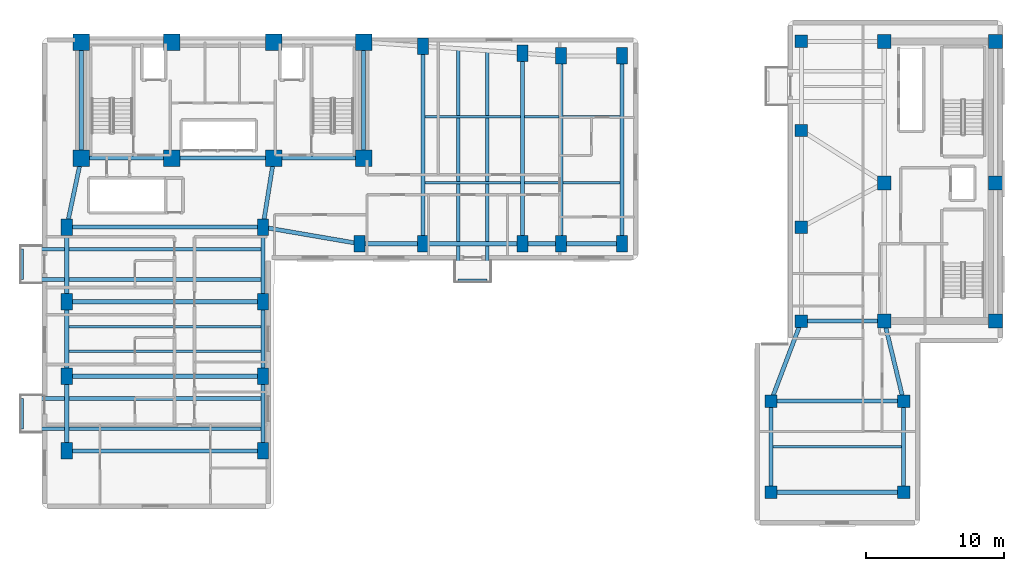
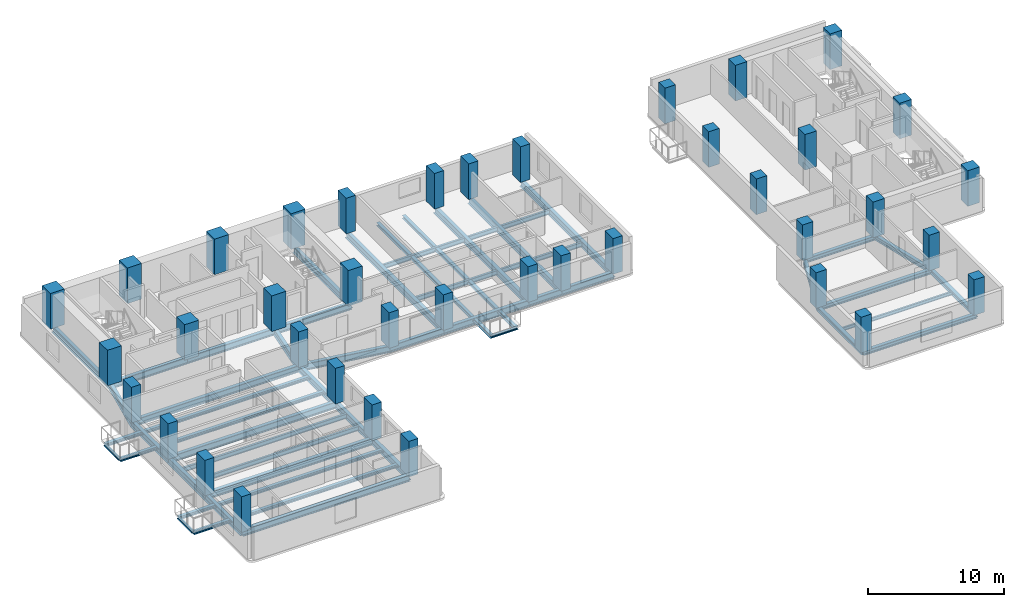
# One storey, part 1 of 11: 51 beams, 39 columns.
"""IFC4 building model written with IfcOpenShell, lengths in metres."""

from ifc_helpers import new_model, si_unit, direction, frame, origin, origin_2d, place, context, subcontext, project, spatial, rectangle, i_section, extrude, material, material_profile, profile_set, type_object, element, save


model = new_model("IFC4")

# Units and contexts
model_context = context("Model", 3, precision=1e-05, world=origin(), true_north=direction((0.0, 1.0)))
body_context = subcontext(model_context, "Body", "Model", "MODEL_VIEW")
ifc_project = project(units=[si_unit("LENGTHUNIT", "METRE"), si_unit("AREAUNIT", "SQUARE_METRE"), si_unit("VOLUMEUNIT", "CUBIC_METRE"), si_unit("PLANEANGLEUNIT", "RADIAN"), si_unit("MASSUNIT", "GRAM", prefix="KILO")], contexts=[model_context])

# Site, building, storey
site_placement = place(None, origin())
site = spatial("IfcSite", under=ifc_project, at=site_placement, CompositionType="ELEMENT")
building_placement = place(site_placement, origin())
building = spatial("IfcBuilding", under=site, at=building_placement, Name="Kuzgunbayir Cultural Tower", CompositionType="ELEMENT")
storey_placement = place(building_placement, frame((0.0, 0.0, 83.39990234375)))
storey = spatial("IfcBuildingStorey", under=building, at=storey_placement, Name="L23", CompositionType="ELEMENT", Elevation=83.39990234375)

# Columns
ifc_material_1 = material(Name="Concrete C60/75", Category="concrete")
ifc_material_profile_1 = material_profile(ifc_material_1, rectangle(XDim=1.199951171875, YDim=1.199951171875, at=origin_2d()), Name="RC 1200x1200")
ifc_profile_set_1 = profile_set([ifc_material_profile_1], Name="Concrete C60/75")
column_type_1 = type_object("IfcColumnType", Name="COL-CORE-1200", PredefinedType="COLUMN", material=ifc_profile_set_1)
for number, where, z_axis, x_axis, name in (
    (1, (6.449951171875, 33.800048828125, 0.0), (0.0, 0.0, 1.0), (1.0, 0.0, 0.0), "L23 T1 Core Boundary Column CC1-1"),
    (2, (13.0, 33.800048828125, 0.0), (0.0, 0.0, 1.0), (1.0, 0.0, 0.0), "L23 T1 Core Boundary Column CC1-2"),
    (3, (20.39990234375, 33.800048828125, 0.0), (0.0, 0.0, 1.0), (1.0, 0.0, 0.0), "L23 T1 Core Boundary Column CC1-3"),
    (4, (26.89990234375, 33.800048828125, 0.0), (0.0, 0.0, 1.0), (1.0, 0.0, 0.0), "L23 T1 Core Boundary Column CC1-4"),
    (5, (6.449951171875, 42.199951171875, 0.0), (0.0, 0.0, 1.0), (1.0, 0.0, 0.0), "L23 T1 Core Boundary Column CC1-5"),
    (6, (13.0, 42.199951171875, 0.0), (0.0, 0.0, 1.0), (1.0, 0.0, 0.0), "L23 T1 Core Boundary Column CC1-6"),
    (7, (20.39990234375, 42.199951171875, 0.0), (0.0, 0.0, 1.0), (1.0, 0.0, 0.0), "L23 T1 Core Boundary Column CC1-7"),
    (8, (26.89990234375, 42.199951171875, 0.0), (0.0, 0.0, 1.0), (1.0, 0.0, 0.0), "L23 T1 Core Boundary Column CC1-8"),
):
    element("IfcColumn", number, at=place(storey_placement, frame(where, z_axis=z_axis, x_axis=x_axis)), inside=storey, type_object=column_type_1, Name=name, PredefinedType="COLUMN", context=body_context, shape_type="SweptSolid", body=[
        extrude(rectangle(XDim=1.199951171875, YDim=1.199951171875, at=origin_2d()), origin(), (0.0, 0.0, 1.0), 3.2001953125),
    ])
ifc_material_profile_2 = material_profile(ifc_material_1, rectangle(XDim=0.800048828125, YDim=1.199951171875, at=origin_2d()), Name="RC 1200x800")
ifc_profile_set_2 = profile_set([ifc_material_profile_2], Name="Concrete C60/75")
column_type_2 = type_object("IfcColumnType", Name="COL-T1-1200x800", PredefinedType="COLUMN", material=ifc_profile_set_2)
for number, where, z_axis, x_axis, name in (
    (9, (5.39990234375, 12.60009765625, 0.0), (0.0, 0.0, 1.0), (1.0, 0.0, 0.0), "L23 Tower 1 Wing A Column T1A-W-1"),
    (10, (19.60009765625, 12.60009765625, 0.0), (0.0, 0.0, 1.0), (1.0, 0.0, 0.0), "L23 Tower 1 Wing A Column T1A-E-1"),
    (11, (5.39990234375, 18.0, 0.0), (0.0, 0.0, 1.0), (1.0, 0.0, 0.0), "L23 Tower 1 Wing A Column T1A-W-2"),
    (12, (19.60009765625, 18.0, 0.0), (0.0, 0.0, 1.0), (1.0, 0.0, 0.0), "L23 Tower 1 Wing A Column T1A-E-2"),
    (13, (5.39990234375, 23.39990234375, 0.0), (0.0, 0.0, 1.0), (1.0, 0.0, 0.0), "L23 Tower 1 Wing A Column T1A-W-3"),
    (14, (19.60009765625, 23.39990234375, 0.0), (0.0, 0.0, 1.0), (1.0, 0.0, 0.0), "L23 Tower 1 Wing A Column T1A-E-3"),
    (15, (5.39990234375, 28.800048828125, 0.0), (0.0, 0.0, 1.0), (1.0, 0.0, 0.0), "L23 Tower 1 Wing A Column T1A-W-4"),
    (16, (19.60009765625, 28.800048828125, 0.0), (0.0, 0.0, 1.0), (1.0, 0.0, 0.0), "L23 Tower 1 Wing A Column T1A-E-4"),
    (17, (26.60009765625, 27.60009765625, 0.0), (0.0, 0.0, 1.0), (1.0, 0.0, 0.0), "L23 Tower 1 Wing B Column T1B-1-1"),
    (18, (31.199951171875, 27.60009765625, 0.0), (0.0, 0.0, 1.0), (1.0, 0.0, 0.0), "L23 Tower 1 Wing B Column T1B-2-1"),
    (19, (31.199951171875, 41.89990234375, 0.0), (0.0, 0.0, 1.0), (1.0, 0.0, 0.0), "L23 Tower 1 Wing B Column T1B-2-2"),
    (20, (38.39990234375, 27.60009765625, 0.0), (0.0, 0.0, 1.0), (1.0, 0.0, 0.0), "L23 Tower 1 Wing B Column T1B-3-1"),
    (21, (38.39990234375, 41.39990234375, 0.0), (0.0, 0.0, 1.0), (1.0, 0.0, 0.0), "L23 Tower 1 Wing B Column T1B-3-2"),
    (22, (41.199951171875, 27.60009765625, 0.0), (0.0, 0.0, 1.0), (1.0, 0.0, 0.0), "L23 Tower 1 Wing B Column T1B-4-1"),
    (23, (41.199951171875, 41.199951171875, 0.0), (0.0, 0.0, 1.0), (1.0, 0.0, 0.0), "L23 Tower 1 Wing B Column T1B-4-2"),
    (24, (45.60009765625, 27.60009765625, 0.0), (0.0, 0.0, 1.0), (1.0, 0.0, 0.0), "L23 Tower 1 Wing B Column T1B-5-1"),
    (25, (45.60009765625, 41.199951171875, 0.0), (0.0, 0.0, 1.0), (1.0, 0.0, 0.0), "L23 Tower 1 Wing B Column T1B-5-2"),
):
    element("IfcColumn", number, at=place(storey_placement, frame(where, z_axis=z_axis, x_axis=x_axis)), inside=storey, type_object=column_type_2, Name=name, PredefinedType="COLUMN", context=body_context, shape_type="SweptSolid", body=[
        extrude(rectangle(XDim=0.800048828125, YDim=1.199951171875, at=origin_2d()), origin(), (0.0, 0.0, 1.0), 3.2001953125),
    ])
ifc_material_profile_3 = material_profile(ifc_material_1, rectangle(XDim=1.0, YDim=1.0, at=origin_2d()), Name="RC 1000x1000")
ifc_profile_set_3 = profile_set([ifc_material_profile_3], Name="Concrete C60/75")
column_type_3 = type_object("IfcColumnType", Name="COL-T2-1000", PredefinedType="COLUMN", material=ifc_profile_set_3)
for number, where, z_axis, x_axis, name in (
    (26, (64.60009765625, 22.0, 0.0), (0.0, 0.0, 1.0), (1.0, 0.0, 0.0), "L23 T2 Core Boundary Column CC2-1"),
    (27, (72.64990234375, 22.0, 0.0), (0.0, 0.0, 1.0), (1.0, 0.0, 0.0), "L23 T2 Core Boundary Column CC2-2"),
    (28, (64.60009765625, 32.0, 0.0), (0.0, 0.0, 1.0), (1.0, 0.0, 0.0), "L23 T2 Core Boundary Column CC2-3"),
    (29, (72.64990234375, 32.0, 0.0), (0.0, 0.0, 1.0), (1.0, 0.0, 0.0), "L23 T2 Core Boundary Column CC2-4"),
    (30, (64.60009765625, 42.25, 0.0), (0.0, 0.0, 1.0), (1.0, 0.0, 0.0), "L23 T2 Core Boundary Column CC2-5"),
    (31, (72.64990234375, 42.25, 0.0), (0.0, 0.0, 1.0), (1.0, 0.0, 0.0), "L23 T2 Core Boundary Column CC2-6"),
):
    element("IfcColumn", number, at=place(storey_placement, frame(where, z_axis=z_axis, x_axis=x_axis)), inside=storey, type_object=column_type_3, Name=name, PredefinedType="COLUMN", context=body_context, shape_type="SweptSolid", body=[
        extrude(rectangle(XDim=1.0, YDim=1.0, at=origin_2d()), origin(), (0.0, 0.0, 1.0), 3.2001953125),
    ])
ifc_material_profile_4 = material_profile(ifc_material_1, rectangle(XDim=0.89990234375, YDim=0.89990234375, at=origin_2d()), Name="RC 900x900")
ifc_profile_set_4 = profile_set([ifc_material_profile_4], Name="Concrete C60/75")
column_type_4 = type_object("IfcColumnType", Name="COL-T2-900", PredefinedType="COLUMN", material=ifc_profile_set_4)
for number, where, z_axis, x_axis, name in (
    (32, (58.60009765625, 22.0, 0.0), (0.0, 0.0, 1.0), (1.0, 0.0, 0.0), "L23 Companion Wing A Column T2A-W-1"),
    (33, (58.60009765625, 28.800048828125, 0.0), (0.0, 0.0, 1.0), (1.0, 0.0, 0.0), "L23 Companion Wing A Column T2A-W-2"),
    (34, (58.60009765625, 35.800048828125, 0.0), (0.0, 0.0, 1.0), (1.0, 0.0, 0.0), "L23 Companion Wing A Column T2A-W-3"),
    (35, (58.60009765625, 42.25, 0.0), (0.0, 0.0, 1.0), (1.0, 0.0, 0.0), "L23 Companion Wing A Column T2A-W-4"),
    (36, (56.39990234375, 9.60009765625, 0.0), (0.0, 0.0, 1.0), (1.0, 0.0, 0.0), "L23 Companion Wing B Column T2B-1-1"),
    (37, (56.39990234375, 16.199951171875, 0.0), (0.0, 0.0, 1.0), (1.0, 0.0, 0.0), "L23 Companion Wing B Column T2B-1-2"),
    (38, (66.0, 9.60009765625, 0.0), (0.0, 0.0, 1.0), (1.0, 0.0, 0.0), "L23 Companion Wing B Column T2B-2-1"),
    (39, (66.0, 16.199951171875, 0.0), (0.0, 0.0, 1.0), (1.0, 0.0, 0.0), "L23 Companion Wing B Column T2B-2-2"),
):
    element("IfcColumn", number, at=place(storey_placement, frame(where, z_axis=z_axis, x_axis=x_axis)), inside=storey, type_object=column_type_4, Name=name, PredefinedType="COLUMN", context=body_context, shape_type="SweptSolid", body=[
        extrude(rectangle(XDim=0.89990234375, YDim=0.89990234375, at=origin_2d()), origin(), (0.0, 0.0, 1.0), 3.2001953125),
    ])

# Beams
ifc_material_2 = material(Name="Steel S355J2", Category="steel")
ifc_material_profile_5 = material_profile(ifc_material_2, i_section(OverallWidth=0.280029296875, OverallDepth=0.280029296875, WebThickness=0.010498046875, FlangeThickness=0.01806640625, FilletRadius=0.02392578125, at=origin_2d()), Name="HEB 280")
ifc_profile_set_5 = profile_set([ifc_material_profile_5], Name="Steel S355J2")
beam_type_1 = type_object("IfcBeamType", Name="BM-BAL-HEB280", PredefinedType="BEAM", material=ifc_profile_set_5)
for number, where, z_axis, x_axis, name in (
    (40, (2.159912109375, 14.199951171875, -0.33984375), (1.0, 0.0, 0.0), (0.0, 1.0, 0.0), "L23 Balcony Outrigger Beam BAL-L23-WA1.1"),
    (41, (2.159912109375, 16.39990234375, -0.33984375), (1.0, 0.0, 0.0), (0.0, 1.0, 0.0), "L23 Balcony Outrigger Beam BAL-L23-WA1.2"),
    (42, (2.159912109375, 25.0, -0.33984375), (1.0, 0.0, 0.0), (0.0, 1.0, 0.0), "L23 Balcony Outrigger Beam BAL-L23-WA3.1"),
    (43, (2.159912109375, 27.199951171875, -0.33984375), (1.0, 0.0, 0.0), (0.0, 1.0, 0.0), "L23 Balcony Outrigger Beam BAL-L23-WA3.2"),
):
    element("IfcBeam", number, at=place(storey_placement, frame(where, z_axis=z_axis, x_axis=x_axis)), inside=storey, type_object=beam_type_1, Name=name, PredefinedType="BEAM", context=body_context, shape_type="SweptSolid", body=[
        extrude(i_section(OverallWidth=0.280029296875, OverallDepth=0.280029296875, WebThickness=0.010498046875, FlangeThickness=0.01806640625, FilletRadius=0.02392578125, at=origin_2d()), origin(), (0.0, 0.0, 1.0), 17.440185546875),
    ])
beam_1_placement = place(storey_placement, frame((33.75, 24.9599609375, -0.33984375), z_axis=(0.0, 1.0, 0.0), x_axis=(-1.0, 0.0, 0.0)))
element("IfcBeam", 44, at=beam_1_placement, inside=storey, type_object=beam_type_1, Name="L23 Balcony Outrigger Beam BAL-L23-WB2.1", PredefinedType="BEAM", context=body_context, shape_type="SweptSolid", body=[
    extrude(i_section(OverallWidth=0.280029296875, OverallDepth=0.280029296875, WebThickness=0.010498046875, FlangeThickness=0.01806640625, FilletRadius=0.02392578125, at=origin_2d()), origin(), (0.0, 0.0, 1.0), 16.760009765625),
])
beam_2_placement = place(storey_placement, frame((35.85009765625, 24.9599609375, -0.33984375), z_axis=(0.0, 1.0, 0.0), x_axis=(-1.0, 0.0, 0.0)))
element("IfcBeam", 45, at=beam_2_placement, inside=storey, type_object=beam_type_1, Name="L23 Balcony Outrigger Beam BAL-L23-WB2.2", PredefinedType="BEAM", context=body_context, shape_type="SweptSolid", body=[
    extrude(i_section(OverallWidth=0.280029296875, OverallDepth=0.280029296875, WebThickness=0.010498046875, FlangeThickness=0.01806640625, FilletRadius=0.02392578125, at=origin_2d()), origin(), (0.0, 0.0, 1.0), 16.6201171875),
])
ifc_material_profile_6 = material_profile(ifc_material_2, i_section(OverallWidth=0.199951171875, OverallDepth=0.199951171875, WebThickness=0.009033203125, FlangeThickness=0.014892578125, FilletRadius=0.01806640625, at=origin_2d()), Name="HEB 200")
ifc_profile_set_6 = profile_set([ifc_material_profile_6], Name="Steel S355J2")
beam_type_2 = type_object("IfcBeamType", Name="BM-CAN-HEB200", PredefinedType="BEAM", material=ifc_profile_set_6)
for number, where, z_axis, x_axis, name in (
    (46, (2.159912109375, 14.199951171875, -0.2998046875), (0.0, 1.0, 0.0), (-1.0, 0.0, 0.0), "L23 Balcony Edge Header BAL-L23-WA1"),
    (47, (2.159912109375, 25.0, -0.2998046875), (0.0, 1.0, 0.0), (-1.0, 0.0, 0.0), "L23 Balcony Edge Header BAL-L23-WA3"),
):
    element("IfcBeam", number, at=place(storey_placement, frame(where, z_axis=z_axis, x_axis=x_axis)), inside=storey, type_object=beam_type_2, Name=name, PredefinedType="BEAM", context=body_context, shape_type="SweptSolid", body=[
        extrude(i_section(OverallWidth=0.199951171875, OverallDepth=0.199951171875, WebThickness=0.009033203125, FlangeThickness=0.014892578125, FilletRadius=0.01806640625, at=origin_2d()), origin(), (0.0, 0.0, 1.0), 2.199951171875),
    ])
beam_3_placement = place(storey_placement, frame((33.75, 24.9599609375, -0.2998046875), z_axis=(1.0, 0.0, 0.0), x_axis=(0.0, 1.0, 0.0)))
element("IfcBeam", 48, at=beam_3_placement, inside=storey, type_object=beam_type_2, Name="L23 Balcony Edge Header BAL-L23-WB2", PredefinedType="BEAM", context=body_context, shape_type="SweptSolid", body=[
    extrude(i_section(OverallWidth=0.199951171875, OverallDepth=0.199951171875, WebThickness=0.009033203125, FlangeThickness=0.014892578125, FilletRadius=0.01806640625, at=origin_2d()), origin(), (0.0, 0.0, 1.0), 2.10009765625),
])
ifc_material_profile_7 = material_profile(ifc_material_2, i_section(OverallWidth=0.300048828125, OverallDepth=0.39990234375, WebThickness=0.013427734375, FlangeThickness=0.02392578125, FilletRadius=0.027099609375, at=origin_2d()), Name="HEB 400")
ifc_profile_set_7 = profile_set([ifc_material_profile_7], Name="Steel S355J2")
beam_type_3 = type_object("IfcBeamType", Name="BM-EXT-HEB400", PredefinedType="BEAM", material=ifc_profile_set_7)
beam_4_placement = place(storey_placement, frame((56.39990234375, 9.60009765625, -0.3798828125), z_axis=(0.0, 1.0, 0.0), x_axis=(-1.0, 0.0, 0.0)))
element("IfcBeam", 49, at=beam_4_placement, inside=storey, type_object=beam_type_3, Name="L23 Companion Wing B West Girder", PredefinedType="BEAM", context=body_context, shape_type="SweptSolid", body=[
    extrude(i_section(OverallWidth=0.300048828125, OverallDepth=0.39990234375, WebThickness=0.013427734375, FlangeThickness=0.02392578125, FilletRadius=0.027099609375, at=origin_2d()), origin(), (0.0, 0.0, 1.0), 6.599853515625),
])
beam_5_placement = place(storey_placement, frame((56.39990234375, 16.199951171875, -0.3798828125), z_axis=(0.354679148754, 0.93498807556, 0.0), x_axis=(-0.93498807556, 0.354679148754, 0.0)))
element("IfcBeam", 50, at=beam_5_placement, inside=storey, type_object=beam_type_3, Name="L23 Companion Wing B Floor Girder W", PredefinedType="BEAM", context=body_context, shape_type="SweptSolid", body=[
    extrude(i_section(OverallWidth=0.300048828125, OverallDepth=0.39990234375, WebThickness=0.013427734375, FlangeThickness=0.02392578125, FilletRadius=0.027099609375, at=origin_2d()), origin(), (0.0, 0.0, 1.0), 6.203369140625),
])
beam_6_placement = place(storey_placement, frame((66.0, 9.60009765625, -0.3798828125), z_axis=(0.0, 1.0, 0.0), x_axis=(-1.0, 0.0, 0.0)))
element("IfcBeam", 51, at=beam_6_placement, inside=storey, type_object=beam_type_3, Name="L23 Companion Wing B East Girder", PredefinedType="BEAM", context=body_context, shape_type="SweptSolid", body=[
    extrude(i_section(OverallWidth=0.300048828125, OverallDepth=0.39990234375, WebThickness=0.013427734375, FlangeThickness=0.02392578125, FilletRadius=0.027099609375, at=origin_2d()), origin(), (0.0, 0.0, 1.0), 6.599853515625),
])
beam_7_placement = place(storey_placement, frame((66.0, 16.199951171875, -0.3798828125), z_axis=(-0.234623200431, 0.972086392158, 0.0), x_axis=(-0.972086392158, -0.234623200431, 0.0)))
element("IfcBeam", 52, at=beam_7_placement, inside=storey, type_object=beam_type_3, Name="L23 Companion Wing B Floor Girder E", PredefinedType="BEAM", context=body_context, shape_type="SweptSolid", body=[
    extrude(i_section(OverallWidth=0.300048828125, OverallDepth=0.39990234375, WebThickness=0.013427734375, FlangeThickness=0.02392578125, FilletRadius=0.027099609375, at=origin_2d()), origin(), (0.0, 0.0, 1.0), 5.966552734375),
])
beam_8_placement = place(storey_placement, frame((56.39990234375, 9.60009765625, -0.3798828125), z_axis=(1.0, 0.0, 0.0), x_axis=(0.0, 1.0, 0.0)))
element("IfcBeam", 53, at=beam_8_placement, inside=storey, type_object=beam_type_3, Name="L23 Companion Wing B South Girder", PredefinedType="BEAM", context=body_context, shape_type="SweptSolid", body=[
    extrude(i_section(OverallWidth=0.300048828125, OverallDepth=0.39990234375, WebThickness=0.013427734375, FlangeThickness=0.02392578125, FilletRadius=0.027099609375, at=origin_2d()), origin(), (0.0, 0.0, 1.0), 9.60009765625),
])
ifc_material_profile_8 = material_profile(ifc_material_2, i_section(OverallWidth=0.300048828125, OverallDepth=0.60009765625, WebThickness=0.015380859375, FlangeThickness=0.030029296875, FilletRadius=0.027099609375, at=origin_2d()), Name="HEB 600")
ifc_profile_set_8 = profile_set([ifc_material_profile_8], Name="Steel S355J2")
beam_type_4 = type_object("IfcBeamType", Name="BM-EXT-HEB600", PredefinedType="BEAM", material=ifc_profile_set_8)
for number, where, z_axis, x_axis, name in (
    (54, (5.39990234375, 12.60009765625, -0.47998046875), (0.0, 1.0, 0.0), (-1.0, 0.0, 0.0), "L23 Wing A West Girder 1"),
    (55, (19.60009765625, 12.60009765625, -0.47998046875), (0.0, 1.0, 0.0), (-1.0, 0.0, 0.0), "L23 Wing A East Girder 1"),
    (56, (5.39990234375, 18.0, -0.47998046875), (0.0, 1.0, 0.0), (-1.0, 0.0, 0.0), "L23 Wing A West Girder 2"),
    (57, (19.60009765625, 18.0, -0.47998046875), (0.0, 1.0, 0.0), (-1.0, 0.0, 0.0), "L23 Wing A East Girder 2"),
):
    element("IfcBeam", number, at=place(storey_placement, frame(where, z_axis=z_axis, x_axis=x_axis)), inside=storey, type_object=beam_type_4, Name=name, PredefinedType="BEAM", context=body_context, shape_type="SweptSolid", body=[
        extrude(i_section(OverallWidth=0.300048828125, OverallDepth=0.60009765625, WebThickness=0.015380859375, FlangeThickness=0.030029296875, FilletRadius=0.027099609375, at=origin_2d()), origin(), (0.0, 0.0, 1.0), 5.39990234375),
    ])
for number, where, z_axis, x_axis, name in (
    (58, (5.39990234375, 23.39990234375, -0.47998046875), (0.0, 1.0, 0.0), (-1.0, 0.0, 0.0), "L23 Wing A West Girder 3"),
    (59, (19.60009765625, 23.39990234375, -0.47998046875), (0.0, 1.0, 0.0), (-1.0, 0.0, 0.0), "L23 Wing A East Girder 3"),
):
    element("IfcBeam", number, at=place(storey_placement, frame(where, z_axis=z_axis, x_axis=x_axis)), inside=storey, type_object=beam_type_4, Name=name, PredefinedType="BEAM", context=body_context, shape_type="SweptSolid", body=[
        extrude(i_section(OverallWidth=0.300048828125, OverallDepth=0.60009765625, WebThickness=0.015380859375, FlangeThickness=0.030029296875, FilletRadius=0.027099609375, at=origin_2d()), origin(), (0.0, 0.0, 1.0), 5.400146484375),
    ])
beam_9_placement = place(storey_placement, frame((26.60009765625, 27.60009765625, -0.47998046875), z_axis=(1.0, 0.0, 0.0), x_axis=(0.0, 1.0, 0.0)))
element("IfcBeam", 60, at=beam_9_placement, inside=storey, type_object=beam_type_4, Name="L23 Wing B South Girder 1", PredefinedType="BEAM", context=body_context, shape_type="SweptSolid", body=[
    extrude(i_section(OverallWidth=0.300048828125, OverallDepth=0.60009765625, WebThickness=0.015380859375, FlangeThickness=0.030029296875, FilletRadius=0.027099609375, at=origin_2d()), origin(), (0.0, 0.0, 1.0), 4.599853515625),
])
beam_10_placement = place(storey_placement, frame((31.199951171875, 27.60009765625, -0.47998046875), z_axis=(1.0, 0.0, 0.0), x_axis=(0.0, 1.0, 0.0)))
element("IfcBeam", 61, at=beam_10_placement, inside=storey, type_object=beam_type_4, Name="L23 Wing B South Girder 2", PredefinedType="BEAM", context=body_context, shape_type="SweptSolid", body=[
    extrude(i_section(OverallWidth=0.300048828125, OverallDepth=0.60009765625, WebThickness=0.015380859375, FlangeThickness=0.030029296875, FilletRadius=0.027099609375, at=origin_2d()), origin(), (0.0, 0.0, 1.0), 7.199951171875),
])
beam_11_placement = place(storey_placement, frame((38.39990234375, 27.60009765625, -0.47998046875), z_axis=(1.0, 0.0, 0.0), x_axis=(0.0, 1.0, 0.0)))
element("IfcBeam", 62, at=beam_11_placement, inside=storey, type_object=beam_type_4, Name="L23 Wing B South Girder 3", PredefinedType="BEAM", context=body_context, shape_type="SweptSolid", body=[
    extrude(i_section(OverallWidth=0.300048828125, OverallDepth=0.60009765625, WebThickness=0.015380859375, FlangeThickness=0.030029296875, FilletRadius=0.027099609375, at=origin_2d()), origin(), (0.0, 0.0, 1.0), 2.800048828125),
])
beam_12_placement = place(storey_placement, frame((41.199951171875, 27.60009765625, -0.47998046875), z_axis=(1.0, 0.0, 0.0), x_axis=(0.0, 1.0, 0.0)))
element("IfcBeam", 63, at=beam_12_placement, inside=storey, type_object=beam_type_4, Name="L23 Wing B South Girder 4", PredefinedType="BEAM", context=body_context, shape_type="SweptSolid", body=[
    extrude(i_section(OverallWidth=0.300048828125, OverallDepth=0.60009765625, WebThickness=0.015380859375, FlangeThickness=0.030029296875, FilletRadius=0.027099609375, at=origin_2d()), origin(), (0.0, 0.0, 1.0), 4.400146484375),
])
ifc_material_profile_9 = material_profile(ifc_material_2, i_section(OverallWidth=0.300048828125, OverallDepth=0.39990234375, WebThickness=0.013427734375, FlangeThickness=0.02392578125, FilletRadius=0.027099609375, at=origin_2d()), Name="HEB 400")
ifc_profile_set_9 = profile_set([ifc_material_profile_9], Name="Steel S355J2")
beam_type_5 = type_object("IfcBeamType", Name="BM-GIR-HEB400", PredefinedType="BEAM", material=ifc_profile_set_9)
beam_13_placement = place(storey_placement, frame((58.60009765625, 22.0, -0.3798828125), z_axis=(1.0, 0.0, 0.0), x_axis=(0.0, 1.0, 0.0)))
element("IfcBeam", 64, at=beam_13_placement, inside=storey, type_object=beam_type_5, Name="L23 Companion Transverse Girder 1", PredefinedType="BEAM", context=body_context, shape_type="SweptSolid", body=[
    extrude(i_section(OverallWidth=0.300048828125, OverallDepth=0.39990234375, WebThickness=0.013427734375, FlangeThickness=0.02392578125, FilletRadius=0.027099609375, at=origin_2d()), origin(), (0.0, 0.0, 1.0), 6.0),
])
beam_14_placement = place(storey_placement, frame((56.39990234375, 16.199951171875, -0.3798828125), z_axis=(1.0, 0.0, 0.0), x_axis=(0.0, 1.0, 0.0)))
element("IfcBeam", 65, at=beam_14_placement, inside=storey, type_object=beam_type_5, Name="L23 Companion Wing B Mid Girder", PredefinedType="BEAM", context=body_context, shape_type="SweptSolid", body=[
    extrude(i_section(OverallWidth=0.300048828125, OverallDepth=0.39990234375, WebThickness=0.013427734375, FlangeThickness=0.02392578125, FilletRadius=0.027099609375, at=origin_2d()), origin(), (0.0, 0.0, 1.0), 9.60009765625),
])
ifc_material_profile_10 = material_profile(ifc_material_2, i_section(OverallWidth=0.300048828125, OverallDepth=0.60009765625, WebThickness=0.015380859375, FlangeThickness=0.030029296875, FilletRadius=0.027099609375, at=origin_2d()), Name="HEB 600")
ifc_profile_set_10 = profile_set([ifc_material_profile_10], Name="Steel S355J2")
beam_type_6 = type_object("IfcBeamType", Name="BM-GIR-HEB600", PredefinedType="BEAM", material=ifc_profile_set_10)
beam_15_placement = place(storey_placement, frame((6.449951171875, 33.800048828125, -0.47998046875), z_axis=(1.0, 0.0, 0.0), x_axis=(0.0, 1.0, 0.0)))
element("IfcBeam", 66, at=beam_15_placement, inside=storey, type_object=beam_type_6, Name="L23 Core South Girder 1", PredefinedType="BEAM", context=body_context, shape_type="SweptSolid", body=[
    extrude(i_section(OverallWidth=0.300048828125, OverallDepth=0.60009765625, WebThickness=0.015380859375, FlangeThickness=0.030029296875, FilletRadius=0.027099609375, at=origin_2d()), origin(), (0.0, 0.0, 1.0), 6.550048828125),
])
beam_16_placement = place(storey_placement, frame((13.0, 33.800048828125, -0.47998046875), z_axis=(1.0, 0.0, 0.0), x_axis=(0.0, 1.0, 0.0)))
element("IfcBeam", 67, at=beam_16_placement, inside=storey, type_object=beam_type_6, Name="L23 Core South Girder 2", PredefinedType="BEAM", context=body_context, shape_type="SweptSolid", body=[
    extrude(i_section(OverallWidth=0.300048828125, OverallDepth=0.60009765625, WebThickness=0.015380859375, FlangeThickness=0.030029296875, FilletRadius=0.027099609375, at=origin_2d()), origin(), (0.0, 0.0, 1.0), 7.39990234375),
])
beam_17_placement = place(storey_placement, frame((20.39990234375, 33.800048828125, -0.47998046875), z_axis=(1.0, 0.0, 0.0), x_axis=(0.0, 1.0, 0.0)))
element("IfcBeam", 68, at=beam_17_placement, inside=storey, type_object=beam_type_6, Name="L23 Core South Girder 3", PredefinedType="BEAM", context=body_context, shape_type="SweptSolid", body=[
    extrude(i_section(OverallWidth=0.300048828125, OverallDepth=0.60009765625, WebThickness=0.015380859375, FlangeThickness=0.030029296875, FilletRadius=0.027099609375, at=origin_2d()), origin(), (0.0, 0.0, 1.0), 6.5),
])
for number, where, z_axis, x_axis, name in (
    (69, (6.449951171875, 33.800048828125, -0.47998046875), (0.0, 1.0, 0.0), (-1.0, 0.0, 0.0), "L23 Core West Edge Girder"),
    (70, (26.89990234375, 33.800048828125, -0.47998046875), (0.0, 1.0, 0.0), (-1.0, 0.0, 0.0), "L23 Core East Edge Girder"),
):
    element("IfcBeam", number, at=place(storey_placement, frame(where, z_axis=z_axis, x_axis=x_axis)), inside=storey, type_object=beam_type_6, Name=name, PredefinedType="BEAM", context=body_context, shape_type="SweptSolid", body=[
        extrude(i_section(OverallWidth=0.300048828125, OverallDepth=0.60009765625, WebThickness=0.015380859375, FlangeThickness=0.030029296875, FilletRadius=0.027099609375, at=origin_2d()), origin(), (0.0, 0.0, 1.0), 8.39990234375),
    ])
for number, where, z_axis, x_axis, name in (
    (71, (5.39990234375, 12.60009765625, -0.47998046875), (1.0, 0.0, 0.0), (0.0, 1.0, 0.0), "L23 Wing A Transverse Girder 1"),
    (72, (5.39990234375, 18.0, -0.47998046875), (1.0, 0.0, 0.0), (0.0, 1.0, 0.0), "L23 Wing A Transverse Girder 2"),
    (73, (5.39990234375, 23.39990234375, -0.47998046875), (1.0, 0.0, 0.0), (0.0, 1.0, 0.0), "L23 Wing A Transverse Girder 3"),
    (74, (5.39990234375, 28.800048828125, -0.47998046875), (1.0, 0.0, 0.0), (0.0, 1.0, 0.0), "L23 Wing A Transverse Girder 4"),
):
    element("IfcBeam", number, at=place(storey_placement, frame(where, z_axis=z_axis, x_axis=x_axis)), inside=storey, type_object=beam_type_6, Name=name, PredefinedType="BEAM", context=body_context, shape_type="SweptSolid", body=[
        extrude(i_section(OverallWidth=0.300048828125, OverallDepth=0.60009765625, WebThickness=0.015380859375, FlangeThickness=0.030029296875, FilletRadius=0.027099609375, at=origin_2d()), origin(), (0.0, 0.0, 1.0), 14.2001953125),
    ])
beam_18_placement = place(storey_placement, frame((5.39990234375, 28.800048828125, -0.47998046875), z_axis=(0.205526387753, 0.978651574329, 0.0), x_axis=(-0.978651574329, 0.205526387753, 0.0)))
element("IfcBeam", 75, at=beam_18_placement, inside=storey, type_object=beam_type_6, Name="L23 Wing A West Core Floor Girder", PredefinedType="BEAM", context=body_context, shape_type="SweptSolid", body=[
    extrude(i_section(OverallWidth=0.300048828125, OverallDepth=0.60009765625, WebThickness=0.015380859375, FlangeThickness=0.030029296875, FilletRadius=0.027099609375, at=origin_2d()), origin(), (0.0, 0.0, 1.0), 5.109130859375),
])
beam_19_placement = place(storey_placement, frame((19.60009765625, 28.800048828125, -0.47998046875), z_axis=(0.157952891656, 0.987446648694, 0.0), x_axis=(-0.987446648694, 0.157952891656, 0.0)))
element("IfcBeam", 76, at=beam_19_placement, inside=storey, type_object=beam_type_6, Name="L23 Wing A East Core Floor Girder", PredefinedType="BEAM", context=body_context, shape_type="SweptSolid", body=[
    extrude(i_section(OverallWidth=0.300048828125, OverallDepth=0.60009765625, WebThickness=0.015380859375, FlangeThickness=0.030029296875, FilletRadius=0.027099609375, at=origin_2d()), origin(), (0.0, 0.0, 1.0), 5.0634765625),
])
beam_20_placement = place(storey_placement, frame((31.199951171875, 27.60009765625, -0.47998046875), z_axis=(0.0, 1.0, 0.0), x_axis=(-1.0, 0.0, 0.0)))
element("IfcBeam", 77, at=beam_20_placement, inside=storey, type_object=beam_type_6, Name="L23 Wing B Cross Girder 31", PredefinedType="BEAM", context=body_context, shape_type="SweptSolid", body=[
    extrude(i_section(OverallWidth=0.300048828125, OverallDepth=0.60009765625, WebThickness=0.015380859375, FlangeThickness=0.030029296875, FilletRadius=0.027099609375, at=origin_2d()), origin(), (0.0, 0.0, 1.0), 14.2998046875),
])
beam_21_placement = place(storey_placement, frame((38.39990234375, 27.60009765625, -0.47998046875), z_axis=(0.0, 1.0, 0.0), x_axis=(-1.0, 0.0, 0.0)))
element("IfcBeam", 78, at=beam_21_placement, inside=storey, type_object=beam_type_6, Name="L23 Wing B Cross Girder 38", PredefinedType="BEAM", context=body_context, shape_type="SweptSolid", body=[
    extrude(i_section(OverallWidth=0.300048828125, OverallDepth=0.60009765625, WebThickness=0.015380859375, FlangeThickness=0.030029296875, FilletRadius=0.027099609375, at=origin_2d()), origin(), (0.0, 0.0, 1.0), 13.7998046875),
])
for number, where, z_axis, x_axis, name in (
    (79, (41.199951171875, 27.60009765625, -0.47998046875), (0.0, 1.0, 0.0), (-1.0, 0.0, 0.0), "L23 Wing B Cross Girder 41"),
    (80, (45.60009765625, 27.60009765625, -0.47998046875), (0.0, 1.0, 0.0), (-1.0, 0.0, 0.0), "L23 Wing B Cross Girder 45"),
):
    element("IfcBeam", number, at=place(storey_placement, frame(where, z_axis=z_axis, x_axis=x_axis)), inside=storey, type_object=beam_type_6, Name=name, PredefinedType="BEAM", context=body_context, shape_type="SweptSolid", body=[
        extrude(i_section(OverallWidth=0.300048828125, OverallDepth=0.60009765625, WebThickness=0.015380859375, FlangeThickness=0.030029296875, FilletRadius=0.027099609375, at=origin_2d()), origin(), (0.0, 0.0, 1.0), 13.599853515625),
    ])
beam_22_placement = place(storey_placement, frame((19.60009765625, 28.800048828125, -0.47998046875), z_axis=(0.985623399742, -0.168957136221, 0.0), x_axis=(0.168957136221, 0.985623399742, 0.0)))
element("IfcBeam", 81, at=beam_22_placement, inside=storey, type_object=beam_type_6, Name="L23 Wing B Waist Tie Girder", PredefinedType="BEAM", context=body_context, shape_type="SweptSolid", body=[
    extrude(i_section(OverallWidth=0.300048828125, OverallDepth=0.60009765625, WebThickness=0.015380859375, FlangeThickness=0.030029296875, FilletRadius=0.027099609375, at=origin_2d()), origin(), (0.0, 0.0, 1.0), 7.10205078125),
])
ifc_material_profile_11 = material_profile(ifc_material_2, i_section(OverallWidth=0.14990234375, OverallDepth=0.300048828125, WebThickness=0.007080078125, FlangeThickness=0.0107421875, FilletRadius=0.014892578125, at=origin_2d()), Name="IPE 300")
ifc_profile_set_11 = profile_set([ifc_material_profile_11], Name="Steel S355J2")
beam_type_7 = type_object("IfcBeamType", Name="BM-JST-IPE300", PredefinedType="JOIST", material=ifc_profile_set_11)
beam_23_placement = place(storey_placement, frame((56.550048828125, 12.89990234375, -0.329833984375), z_axis=(1.0, 0.0, 0.0), x_axis=(0.0, 1.0, 0.0)))
element("IfcBeam", 82, at=beam_23_placement, inside=storey, type_object=beam_type_7, Name="L23 Companion Wing B Joist", PredefinedType="JOIST", context=body_context, shape_type="SweptSolid", body=[
    extrude(i_section(OverallWidth=0.14990234375, OverallDepth=0.300048828125, WebThickness=0.007080078125, FlangeThickness=0.0107421875, FilletRadius=0.014892578125, at=origin_2d()), origin(), (0.0, 0.0, 1.0), 9.300048828125),
])
ifc_material_profile_12 = material_profile(ifc_material_2, i_section(OverallWidth=0.179931640625, OverallDepth=0.39990234375, WebThickness=0.008544921875, FlangeThickness=0.013427734375, FilletRadius=0.02099609375, at=origin_2d()), Name="IPE 400")
ifc_profile_set_12 = profile_set([ifc_material_profile_12], Name="Steel S355J2")
beam_type_8 = type_object("IfcBeamType", Name="BM-JST-IPE400", PredefinedType="JOIST", material=ifc_profile_set_12)
for number, where, z_axis, x_axis, name in (
    (83, (5.550048828125, 19.800048828125, -0.3798828125), (1.0, 0.0, 0.0), (0.0, 1.0, 0.0), "L23 Wing A Secondary Joist 3"),
    (84, (5.550048828125, 21.60009765625, -0.3798828125), (1.0, 0.0, 0.0), (0.0, 1.0, 0.0), "L23 Wing A Secondary Joist 4"),
):
    element("IfcBeam", number, at=place(storey_placement, frame(where, z_axis=z_axis, x_axis=x_axis)), inside=storey, type_object=beam_type_8, Name=name, PredefinedType="JOIST", context=body_context, shape_type="SweptSolid", body=[
        extrude(i_section(OverallWidth=0.179931640625, OverallDepth=0.39990234375, WebThickness=0.008544921875, FlangeThickness=0.013427734375, FilletRadius=0.02099609375, at=origin_2d()), origin(), (0.0, 0.0, 1.0), 13.89990234375),
    ])
for number, where, z_axis, x_axis, name in (
    (85, (31.35009765625, 32.0, -0.3798828125), (1.0, 0.0, 0.0), (0.0, 1.0, 0.0), "L23 Wing B Secondary Joist 1.1"),
    (86, (31.35009765625, 36.800048828125, -0.3798828125), (1.0, 0.0, 0.0), (0.0, 1.0, 0.0), "L23 Wing B Secondary Joist 1.2"),
):
    element("IfcBeam", number, at=place(storey_placement, frame(where, z_axis=z_axis, x_axis=x_axis)), inside=storey, type_object=beam_type_8, Name=name, PredefinedType="JOIST", context=body_context, shape_type="SweptSolid", body=[
        extrude(i_section(OverallWidth=0.179931640625, OverallDepth=0.39990234375, WebThickness=0.008544921875, FlangeThickness=0.013427734375, FilletRadius=0.02099609375, at=origin_2d()), origin(), (0.0, 0.0, 1.0), 6.89990234375),
    ])
for number, where, z_axis, x_axis, name in (
    (87, (38.550048828125, 32.0, -0.3798828125), (1.0, 0.0, 0.0), (0.0, 1.0, 0.0), "L23 Wing B Secondary Joist 2.1"),
    (88, (38.550048828125, 36.800048828125, -0.3798828125), (1.0, 0.0, 0.0), (0.0, 1.0, 0.0), "L23 Wing B Secondary Joist 2.2"),
):
    element("IfcBeam", number, at=place(storey_placement, frame(where, z_axis=z_axis, x_axis=x_axis)), inside=storey, type_object=beam_type_8, Name=name, PredefinedType="JOIST", context=body_context, shape_type="SweptSolid", body=[
        extrude(i_section(OverallWidth=0.179931640625, OverallDepth=0.39990234375, WebThickness=0.008544921875, FlangeThickness=0.013427734375, FilletRadius=0.02099609375, at=origin_2d()), origin(), (0.0, 0.0, 1.0), 2.5),
    ])
for number, where, z_axis, x_axis, name in (
    (89, (41.35009765625, 32.0, -0.3798828125), (1.0, 0.0, 0.0), (0.0, 1.0, 0.0), "L23 Wing B Secondary Joist 3.1"),
    (90, (41.35009765625, 36.800048828125, -0.3798828125), (1.0, 0.0, 0.0), (0.0, 1.0, 0.0), "L23 Wing B Secondary Joist 3.2"),
):
    element("IfcBeam", number, at=place(storey_placement, frame(where, z_axis=z_axis, x_axis=x_axis)), inside=storey, type_object=beam_type_8, Name=name, PredefinedType="JOIST", context=body_context, shape_type="SweptSolid", body=[
        extrude(i_section(OverallWidth=0.179931640625, OverallDepth=0.39990234375, WebThickness=0.008544921875, FlangeThickness=0.013427734375, FilletRadius=0.02099609375, at=origin_2d()), origin(), (0.0, 0.0, 1.0), 4.099853515625),
    ])

save(model, "model.ifc")
